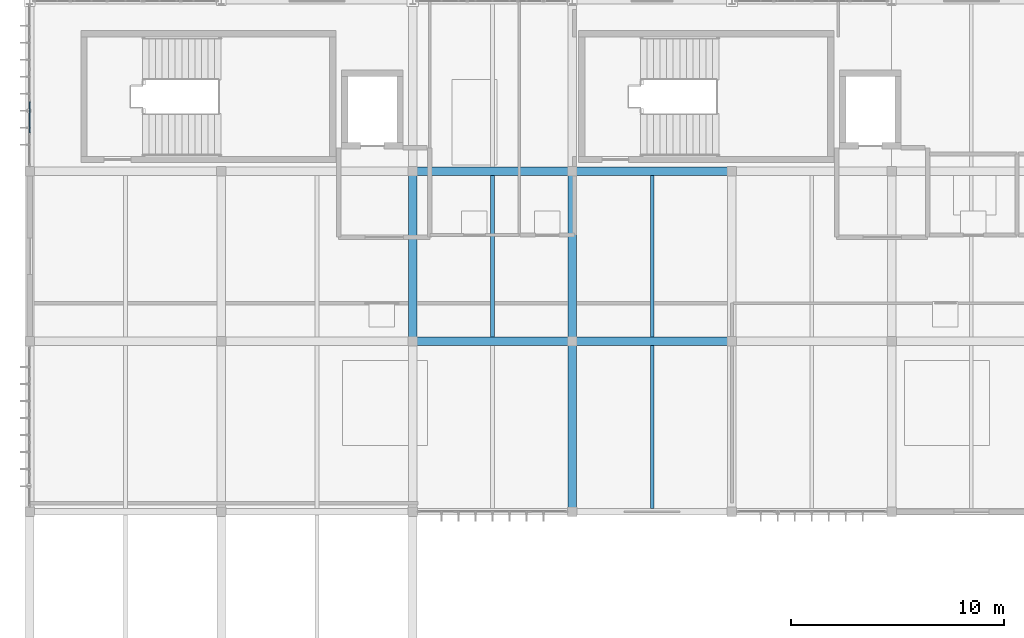
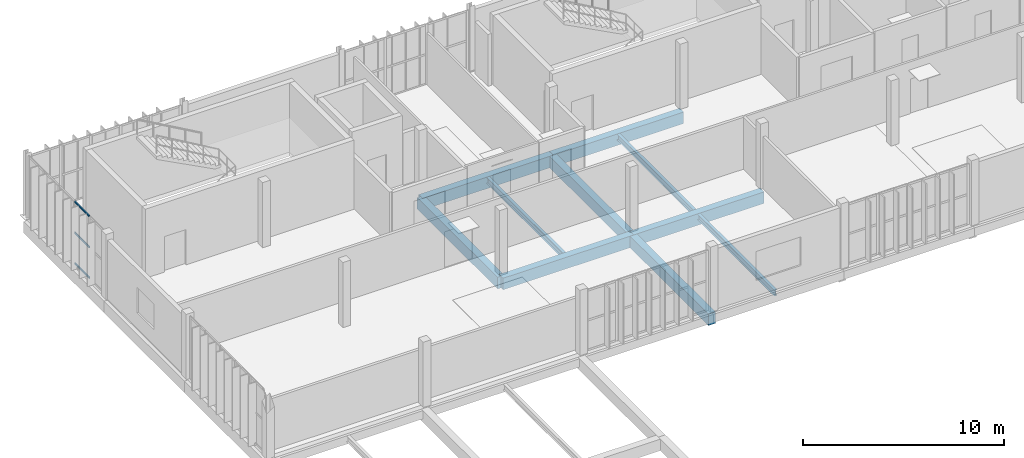
# One storey, part 10 of 26: 10 beams, 3 members, 1 element without a shape of its own.
"""IFC4 building model written with IfcOpenShell, lengths in metres."""

from ifc_helpers import new_model, si_unit, direction, frame, origin, origin_2d, place, context, subcontext, project, spatial, rectangle, i_section, extrude, material, material_profile, profile_set, type_object, element, aggregate, save


model = new_model("IFC4")

# Units and contexts
model_context = context("Model", 3, precision=1e-05, world=origin(), true_north=direction((0.0, 1.0)))
body_context = subcontext(model_context, "Body", "Model", "MODEL_VIEW")
ifc_project = project(units=[si_unit("LENGTHUNIT", "METRE"), si_unit("AREAUNIT", "SQUARE_METRE"), si_unit("VOLUMEUNIT", "CUBIC_METRE"), si_unit("PLANEANGLEUNIT", "RADIAN"), si_unit("MASSUNIT", "GRAM", prefix="KILO")], contexts=[model_context])

# Site, building, storey
site_placement = place(None, origin())
site = spatial("IfcSite", under=ifc_project, at=site_placement, CompositionType="ELEMENT")
building_placement = place(site_placement, origin())
building = spatial("IfcBuilding", under=site, at=building_placement, Name="Vourika Railside Aquatics Centre", CompositionType="ELEMENT")
storey_placement = place(building_placement, frame((0.0, 0.0, 17.699951171875)))
storey = spatial("IfcBuildingStorey", under=building, at=storey_placement, Name="L04", CompositionType="ELEMENT", Elevation=17.699951171875)

# Beams
ifc_material_1 = material(Name="Concrete C35/45", Category="concrete")
ifc_material_profile_1 = material_profile(ifc_material_1, rectangle(XDim=0.39990234375, YDim=0.699951171875, at=origin_2d()), Name="RC 400x700")
ifc_profile_set_1 = profile_set([ifc_material_profile_1], Name="Concrete C35/45")
beam_type_1 = type_object("IfcBeamType", Name="BM-GIRD-400x700", PredefinedType="BEAM", material=ifc_profile_set_1)
for number, where, z_axis, x_axis, name in (
    (1, (36.0, 100.0, -0.58984375), (1.0, 0.0, 0.0), (0.0, 1.0, 0.0), "Floor Beam GX-L04-020"),
    (2, (43.5, 100.0, -0.58984375), (1.0, 0.0, 0.0), (0.0, 1.0, 0.0), "Floor Beam GX-L04-021"),
    (3, (36.0, 108.0, -0.58984375), (1.0, 0.0, 0.0), (0.0, 1.0, 0.0), "Floor Beam GX-L04-032"),
    (4, (43.5, 108.0, -0.58984375), (1.0, 0.0, 0.0), (0.0, 1.0, 0.0), "Floor Beam GX-L04-033"),
):
    element("IfcBeam", number, at=place(storey_placement, frame(where, z_axis=z_axis, x_axis=x_axis)), inside=storey, type_object=beam_type_1, Name=name, PredefinedType="BEAM", context=body_context, shape_type="SweptSolid", body=[
        extrude(rectangle(XDim=0.39990234375, YDim=0.699951171875, at=origin_2d()), origin(), (0.0, 0.0, 1.0), 7.5),
    ])
for number, where, z_axis, x_axis, name in (
    (5, (36.0, 100.0, -0.58984375), (0.0, 1.0, 0.0), (-1.0, 0.0, 0.0), "Floor Girder GY-L04-070"),
    (6, (43.5, 92.0, -0.58984375), (0.0, 1.0, 0.0), (-1.0, 0.0, 0.0), "Floor Girder GY-L04-072"),
    (7, (43.5, 100.0, -0.58984375), (0.0, 1.0, 0.0), (-1.0, 0.0, 0.0), "Floor Girder GY-L04-073"),
):
    element("IfcBeam", number, at=place(storey_placement, frame(where, z_axis=z_axis, x_axis=x_axis)), inside=storey, type_object=beam_type_1, Name=name, PredefinedType="BEAM", context=body_context, shape_type="SweptSolid", body=[
        extrude(rectangle(XDim=0.39990234375, YDim=0.699951171875, at=origin_2d()), origin(), (0.0, 0.0, 1.0), 8.0),
    ])
ifc_material_2 = material(Name="Steel S355J2", Category="steel")
ifc_material_profile_2 = material_profile(ifc_material_2, i_section(OverallWidth=0.169921875, OverallDepth=0.360107421875, WebThickness=0.008056640625, FlangeThickness=0.0126953125, at=origin_2d()), Name="IPE 360")
ifc_profile_set_2 = profile_set([ifc_material_profile_2], Name="Steel S355J2")
beam_type_2 = type_object("IfcBeamType", Name="BM-STL-IPE360", PredefinedType="JOIST", material=ifc_profile_set_2)
beam_placement = place(storey_placement, frame((47.25, 92.14990234375, -0.419921875), z_axis=(0.0, 1.0, 0.0), x_axis=(-1.0, 0.0, 0.0)))
element("IfcBeam", 8, at=beam_placement, inside=storey, type_object=beam_type_2, Name="Secondary Joist JY-L04-107", PredefinedType="JOIST", context=body_context, shape_type="SweptSolid", body=[
    extrude(i_section(OverallWidth=0.169921875, OverallDepth=0.360107421875, WebThickness=0.008056640625, FlangeThickness=0.0126953125, at=origin_2d()), origin(), (0.0, 0.0, 1.0), 7.650146484375),
])
for number, where, z_axis, x_axis, name in (
    (9, (39.75, 100.199951171875, -0.419921875), (0.0, 1.0, 0.0), (-1.0, 0.0, 0.0), "Secondary Joist JY-L04-118"),
    (10, (47.25, 100.199951171875, -0.419921875), (0.0, 1.0, 0.0), (-1.0, 0.0, 0.0), "Secondary Joist JY-L04-119"),
):
    element("IfcBeam", number, at=place(storey_placement, frame(where, z_axis=z_axis, x_axis=x_axis)), inside=storey, type_object=beam_type_2, Name=name, PredefinedType="JOIST", context=body_context, shape_type="SweptSolid", body=[
        extrude(i_section(OverallWidth=0.169921875, OverallDepth=0.360107421875, WebThickness=0.008056640625, FlangeThickness=0.0126953125, at=origin_2d()), origin(), (0.0, 0.0, 1.0), 7.60009765625),
    ])

# Curtain wall, members
ifc_material_3 = material(Name="Anodized thermally broken aluminium", Category="aluminium")
curtain_wall_type = type_object("IfcCurtainWallType", Name="CW-FIT4", PredefinedType="NOTDEFINED", material=ifc_material_3)
curtain_wall_placement = place(storey_placement, origin())
curtain_wall = element("IfcCurtainWall", 11, at=curtain_wall_placement, inside=storey, type_object=curtain_wall_type, Name="Fitness West Boulevard Curtain Wall L04-3", PredefinedType="NOTDEFINED")
ifc_material_4 = material(Name="Anodized aluminium transom", Category="aluminium")
ifc_material_profile_3 = material_profile(ifc_material_4, rectangle(XDim=0.054931640625, YDim=0.10595703125, at=origin_2d()), Name="ALU-T 55x106")
ifc_profile_set_3 = profile_set([ifc_material_profile_3], Name="Anodized aluminium transom")
member_type = type_object("IfcMemberType", Name="CWT-FIT4", PredefinedType="USERDEFINED", material=ifc_profile_set_3)
member_1_placement = place(storey_placement, frame((18.0, 111.25341796875, 0.027587890625), z_axis=(0.0, -1.0, 0.0), x_axis=(1.0, 0.0, 0.0)))
member_1 = element("IfcMember", 12, at=member_1_placement, type_object=member_type, Name="CW18 transom 4.1", ObjectType="TRANSOM", PredefinedType="USERDEFINED", context=body_context, shape_type="SweptSolid", body=[
    extrude(rectangle(XDim=0.054931640625, YDim=0.10595703125, at=origin_2d()), origin(), (0.0, 0.0, 1.0), 1.4580078125),
])
member_2_placement = place(storey_placement, frame((18.0, 111.25341796875, 1.900146484375), z_axis=(0.0, -1.0, 0.0), x_axis=(1.0, 0.0, 0.0)))
member_2 = element("IfcMember", 13, at=member_2_placement, type_object=member_type, Name="CW18 transom 4.2", ObjectType="TRANSOM", PredefinedType="USERDEFINED", context=body_context, shape_type="SweptSolid", body=[
    extrude(rectangle(XDim=0.054931640625, YDim=0.10595703125, at=origin_2d()), origin(), (0.0, 0.0, 1.0), 1.4580078125),
])
member_3_placement = place(storey_placement, frame((18.0, 111.25341796875, 3.7724609375), z_axis=(0.0, -1.0, 0.0), x_axis=(1.0, 0.0, 0.0)))
member_3 = element("IfcMember", 14, at=member_3_placement, type_object=member_type, Name="CW18 transom 4.3", ObjectType="TRANSOM", PredefinedType="USERDEFINED", context=body_context, shape_type="SweptSolid", body=[
    extrude(rectangle(XDim=0.054931640625, YDim=0.10595703125, at=origin_2d()), origin(), (0.0, 0.0, 1.0), 1.4580078125),
])
aggregate(curtain_wall, [member_1, member_2, member_3])

save(model, "model.ifc")
